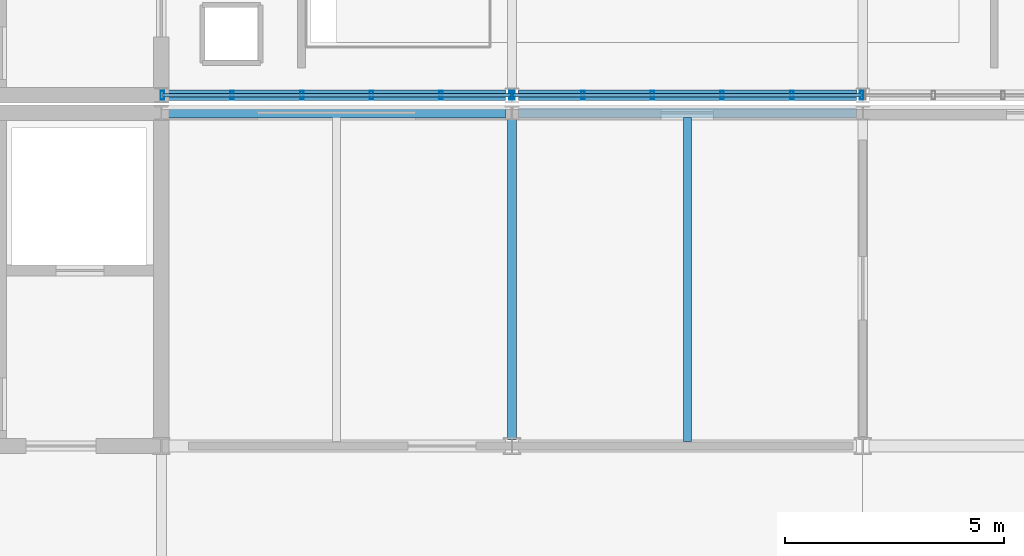
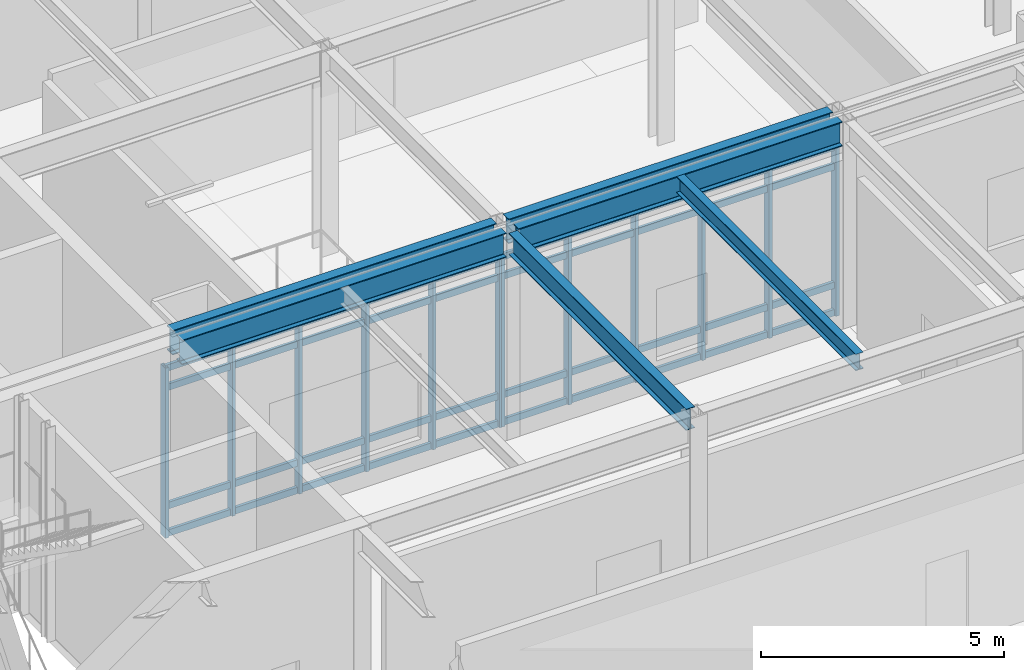
# One storey, part 55 of 94: 20 members, 6 beams, 2 elements without a shape of their own.
"""IFC4 building model written with IfcOpenShell, lengths in metres."""

from ifc_helpers import new_model, si_unit, direction, frame, origin, origin_2d, place, context, subcontext, project, spatial, hollow_rectangle, i_section, extrude, material, material_profile, profile_set, type_object, element, aggregate, save


model = new_model("IFC4")

# Units and contexts
model_context = context("Model", 3, precision=1e-05, world=origin(), true_north=direction((0.0, 1.0)))
body_context = subcontext(model_context, "Body", "Model", "MODEL_VIEW")
ifc_project = project(units=[si_unit("LENGTHUNIT", "METRE"), si_unit("AREAUNIT", "SQUARE_METRE"), si_unit("VOLUMEUNIT", "CUBIC_METRE"), si_unit("PLANEANGLEUNIT", "RADIAN"), si_unit("MASSUNIT", "GRAM", prefix="KILO")], contexts=[model_context])

# Site, building, storey
site_placement = place(None, origin())
site = spatial("IfcSite", under=ifc_project, at=site_placement, CompositionType="ELEMENT")
building_placement = place(site_placement, origin())
building = spatial("IfcBuilding", under=site, at=building_placement, Name="Zulena Civic Courthouse", CompositionType="ELEMENT")
storey_placement = place(building_placement, frame((0.0, 0.0, 5.39990234375)))
storey = spatial("IfcBuildingStorey", under=building, at=storey_placement, Name="L01", CompositionType="ELEMENT", Elevation=5.39990234375)

# Curtain wall, members
ifc_material_1 = material(Name="Double-silver low-E laminated solar-control glass", Category="glass")
curtain_wall_type = type_object("IfcCurtainWallType", Name="CW_7952x4280", PredefinedType="USERDEFINED", material=ifc_material_1)
curtain_wall_1_placement = place(storey_placement, origin())
curtain_wall_1 = element("IfcCurtainWall", 1, at=curtain_wall_1_placement, inside=storey, type_object=curtain_wall_type, Name="cw:V3:L01:3:3", ObjectType="UNITISED CURTAIN WALL", PredefinedType="USERDEFINED")
ifc_material_2 = material(Name="Bronze anodised thermally broken aluminium AA6063-T6", Category="aluminium")
ifc_material_profile_1 = material_profile(ifc_material_2, hollow_rectangle(XDim=0.080078125, YDim=0.199951171875, WallThickness=0.0048828125, at=origin_2d()), Name="CWM200X80X5")
ifc_profile_set_1 = profile_set([ifc_material_profile_1], Name="Bronze anodised thermally broken aluminium AA6063-T6")
member_type_1 = type_object("IfcMemberType", Name="CWMullion_200x80", PredefinedType="MULLION", material=ifc_profile_set_1)
member_1_placement = place(storey_placement, frame((147.97607421875, 30.800048828125, 0.0), z_axis=(0.0, 0.0, 1.0), x_axis=(1.0, 0.0, 0.0)))
member_1 = element("IfcMember", 2, at=member_1_placement, type_object=member_type_1, Name="cw:V3:L01:3:3:mull:0", PredefinedType="MULLION", context=body_context, shape_type="SweptSolid", body=[
    extrude(hollow_rectangle(XDim=0.080078125, YDim=0.199951171875, WallThickness=0.0048828125, at=origin_2d()), origin(), (0.0, 0.0, 1.0), 4.280029296875),
])
member_2_placement = place(storey_placement, frame((146.385498046875, 30.800048828125, 0.0), z_axis=(0.0, 0.0, 1.0), x_axis=(1.0, 0.0, 0.0)))
member_2 = element("IfcMember", 3, at=member_2_placement, type_object=member_type_1, Name="cw:V3:L01:3:3:mull:1", PredefinedType="MULLION", context=body_context, shape_type="SweptSolid", body=[
    extrude(hollow_rectangle(XDim=0.080078125, YDim=0.199951171875, WallThickness=0.0048828125, at=origin_2d()), origin(), (0.0, 0.0, 1.0), 4.280029296875),
])
member_3_placement = place(storey_placement, frame((144.795166015625, 30.800048828125, 0.0), z_axis=(0.0, 0.0, 1.0), x_axis=(1.0, 0.0, 0.0)))
member_3 = element("IfcMember", 4, at=member_3_placement, type_object=member_type_1, Name="cw:V3:L01:3:3:mull:2", PredefinedType="MULLION", context=body_context, shape_type="SweptSolid", body=[
    extrude(hollow_rectangle(XDim=0.080078125, YDim=0.199951171875, WallThickness=0.0048828125, at=origin_2d()), origin(), (0.0, 0.0, 1.0), 4.280029296875),
])
member_4_placement = place(storey_placement, frame((143.204833984375, 30.800048828125, 0.0), z_axis=(0.0, 0.0, 1.0), x_axis=(1.0, 0.0, 0.0)))
member_4 = element("IfcMember", 5, at=member_4_placement, type_object=member_type_1, Name="cw:V3:L01:3:3:mull:3", PredefinedType="MULLION", context=body_context, shape_type="SweptSolid", body=[
    extrude(hollow_rectangle(XDim=0.080078125, YDim=0.199951171875, WallThickness=0.0048828125, at=origin_2d()), origin(), (0.0, 0.0, 1.0), 4.280029296875),
])
member_5_placement = place(storey_placement, frame((141.614501953125, 30.800048828125, 0.0), z_axis=(0.0, 0.0, 1.0), x_axis=(1.0, 0.0, 0.0)))
member_5 = element("IfcMember", 6, at=member_5_placement, type_object=member_type_1, Name="cw:V3:L01:3:3:mull:4", PredefinedType="MULLION", context=body_context, shape_type="SweptSolid", body=[
    extrude(hollow_rectangle(XDim=0.080078125, YDim=0.199951171875, WallThickness=0.0048828125, at=origin_2d()), origin(), (0.0, 0.0, 1.0), 4.280029296875),
])
member_6_placement = place(storey_placement, frame((140.02392578125, 30.800048828125, 0.0), z_axis=(0.0, 0.0, 1.0), x_axis=(1.0, 0.0, 0.0)))
member_6 = element("IfcMember", 7, at=member_6_placement, type_object=member_type_1, Name="cw:V3:L01:3:3:mull:5", PredefinedType="MULLION", context=body_context, shape_type="SweptSolid", body=[
    extrude(hollow_rectangle(XDim=0.080078125, YDim=0.199951171875, WallThickness=0.0048828125, at=origin_2d()), origin(), (0.0, 0.0, 1.0), 4.280029296875),
])

curtain_wall_2_placement = place(storey_placement, origin())
curtain_wall_2 = element("IfcCurtainWall", 8, at=curtain_wall_2_placement, inside=storey, type_object=curtain_wall_type, Name="cw:V3:L01:3:4", ObjectType="UNITISED CURTAIN WALL", PredefinedType="USERDEFINED")
member_7_placement = place(storey_placement, frame((139.97607421875, 30.800048828125, 0.0), z_axis=(0.0, 0.0, 1.0), x_axis=(1.0, 0.0, 0.0)))
member_7 = element("IfcMember", 9, at=member_7_placement, type_object=member_type_1, Name="cw:V3:L01:3:4:mull:0", PredefinedType="MULLION", context=body_context, shape_type="SweptSolid", body=[
    extrude(hollow_rectangle(XDim=0.080078125, YDim=0.199951171875, WallThickness=0.0048828125, at=origin_2d()), origin(), (0.0, 0.0, 1.0), 4.280029296875),
])
member_8_placement = place(storey_placement, frame((138.385498046875, 30.800048828125, 0.0), z_axis=(0.0, 0.0, 1.0), x_axis=(1.0, 0.0, 0.0)))
member_8 = element("IfcMember", 10, at=member_8_placement, type_object=member_type_1, Name="cw:V3:L01:3:4:mull:1", PredefinedType="MULLION", context=body_context, shape_type="SweptSolid", body=[
    extrude(hollow_rectangle(XDim=0.080078125, YDim=0.199951171875, WallThickness=0.0048828125, at=origin_2d()), origin(), (0.0, 0.0, 1.0), 4.280029296875),
])
member_9_placement = place(storey_placement, frame((136.795166015625, 30.800048828125, 0.0), z_axis=(0.0, 0.0, 1.0), x_axis=(1.0, 0.0, 0.0)))
member_9 = element("IfcMember", 11, at=member_9_placement, type_object=member_type_1, Name="cw:V3:L01:3:4:mull:2", PredefinedType="MULLION", context=body_context, shape_type="SweptSolid", body=[
    extrude(hollow_rectangle(XDim=0.080078125, YDim=0.199951171875, WallThickness=0.0048828125, at=origin_2d()), origin(), (0.0, 0.0, 1.0), 4.280029296875),
])
member_10_placement = place(storey_placement, frame((135.204833984375, 30.800048828125, 0.0), z_axis=(0.0, 0.0, 1.0), x_axis=(1.0, 0.0, 0.0)))
member_10 = element("IfcMember", 12, at=member_10_placement, type_object=member_type_1, Name="cw:V3:L01:3:4:mull:3", PredefinedType="MULLION", context=body_context, shape_type="SweptSolid", body=[
    extrude(hollow_rectangle(XDim=0.080078125, YDim=0.199951171875, WallThickness=0.0048828125, at=origin_2d()), origin(), (0.0, 0.0, 1.0), 4.280029296875),
])
member_11_placement = place(storey_placement, frame((133.614501953125, 30.800048828125, 0.0), z_axis=(0.0, 0.0, 1.0), x_axis=(1.0, 0.0, 0.0)))
member_11 = element("IfcMember", 13, at=member_11_placement, type_object=member_type_1, Name="cw:V3:L01:3:4:mull:4", PredefinedType="MULLION", context=body_context, shape_type="SweptSolid", body=[
    extrude(hollow_rectangle(XDim=0.080078125, YDim=0.199951171875, WallThickness=0.0048828125, at=origin_2d()), origin(), (0.0, 0.0, 1.0), 4.280029296875),
])
member_12_placement = place(storey_placement, frame((132.02392578125, 30.800048828125, 0.0), z_axis=(0.0, 0.0, 1.0), x_axis=(1.0, 0.0, 0.0)))
member_12 = element("IfcMember", 14, at=member_12_placement, type_object=member_type_1, Name="cw:V3:L01:3:4:mull:5", PredefinedType="MULLION", context=body_context, shape_type="SweptSolid", body=[
    extrude(hollow_rectangle(XDim=0.080078125, YDim=0.199951171875, WallThickness=0.0048828125, at=origin_2d()), origin(), (0.0, 0.0, 1.0), 4.280029296875),
])

# Member
ifc_material_profile_2 = material_profile(ifc_material_2, hollow_rectangle(XDim=0.070068359375, YDim=0.1650390625, WallThickness=0.00390625, at=origin_2d()), Name="CWT165X70X4")
ifc_profile_set_2 = profile_set([ifc_material_profile_2], Name="Bronze anodised thermally broken aluminium AA6063-T6")
member_type_2 = type_object("IfcMemberType", Name="CWTransom_165x70", PredefinedType="USERDEFINED", material=ifc_profile_set_2)
member_13_placement = place(storey_placement, frame((147.97607421875, 30.800048828125, 0.06005859375), z_axis=(-1.0, 0.0, 0.0), x_axis=(0.0, -1.0, 0.0)))
member_13 = element("IfcMember", 15, at=member_13_placement, type_object=member_type_2, Name="cw:V3:L01:3:3:tran:0", ObjectType="TRANSOM", PredefinedType="USERDEFINED", context=body_context, shape_type="SweptSolid", body=[
    extrude(hollow_rectangle(XDim=0.070068359375, YDim=0.1650390625, WallThickness=0.00390625, at=origin_2d()), origin(), (0.0, 0.0, 1.0), 7.9521484375),
])

member_14_placement = place(storey_placement, frame((147.97607421875, 30.800048828125, 0.75), z_axis=(-1.0, 0.0, 0.0), x_axis=(0.0, -1.0, 0.0)))
member_14 = element("IfcMember", 16, at=member_14_placement, type_object=member_type_2, Name="cw:V3:L01:3:3:tran:1", ObjectType="TRANSOM", PredefinedType="USERDEFINED", context=body_context, shape_type="SweptSolid", body=[
    extrude(hollow_rectangle(XDim=0.070068359375, YDim=0.1650390625, WallThickness=0.00390625, at=origin_2d()), origin(), (0.0, 0.0, 1.0), 7.9521484375),
])

member_15_placement = place(storey_placement, frame((147.97607421875, 30.800048828125, 3.72998046875), z_axis=(-1.0, 0.0, 0.0), x_axis=(0.0, -1.0, 0.0)))
member_15 = element("IfcMember", 17, at=member_15_placement, type_object=member_type_2, Name="cw:V3:L01:3:3:tran:2", ObjectType="TRANSOM", PredefinedType="USERDEFINED", context=body_context, shape_type="SweptSolid", body=[
    extrude(hollow_rectangle(XDim=0.070068359375, YDim=0.1650390625, WallThickness=0.00390625, at=origin_2d()), origin(), (0.0, 0.0, 1.0), 7.9521484375),
])

member_16_placement = place(storey_placement, frame((147.97607421875, 30.800048828125, 4.22021484375), z_axis=(-1.0, 0.0, 0.0), x_axis=(0.0, -1.0, 0.0)))
member_16 = element("IfcMember", 18, at=member_16_placement, type_object=member_type_2, Name="cw:V3:L01:3:3:tran:3", ObjectType="TRANSOM", PredefinedType="USERDEFINED", context=body_context, shape_type="SweptSolid", body=[
    extrude(hollow_rectangle(XDim=0.070068359375, YDim=0.1650390625, WallThickness=0.00390625, at=origin_2d()), origin(), (0.0, 0.0, 1.0), 7.9521484375),
])

aggregate(curtain_wall_1, [member_1, member_2, member_3, member_4, member_5, member_6, member_13, member_14, member_15, member_16])

member_17_placement = place(storey_placement, frame((139.97607421875, 30.800048828125, 0.06005859375), z_axis=(-1.0, 0.0, 0.0), x_axis=(0.0, -1.0, 0.0)))
member_17 = element("IfcMember", 19, at=member_17_placement, type_object=member_type_2, Name="cw:V3:L01:3:4:tran:0", ObjectType="TRANSOM", PredefinedType="USERDEFINED", context=body_context, shape_type="SweptSolid", body=[
    extrude(hollow_rectangle(XDim=0.070068359375, YDim=0.1650390625, WallThickness=0.00390625, at=origin_2d()), origin(), (0.0, 0.0, 1.0), 7.9521484375),
])

member_18_placement = place(storey_placement, frame((139.97607421875, 30.800048828125, 0.75), z_axis=(-1.0, 0.0, 0.0), x_axis=(0.0, -1.0, 0.0)))
member_18 = element("IfcMember", 20, at=member_18_placement, type_object=member_type_2, Name="cw:V3:L01:3:4:tran:1", ObjectType="TRANSOM", PredefinedType="USERDEFINED", context=body_context, shape_type="SweptSolid", body=[
    extrude(hollow_rectangle(XDim=0.070068359375, YDim=0.1650390625, WallThickness=0.00390625, at=origin_2d()), origin(), (0.0, 0.0, 1.0), 7.9521484375),
])

member_19_placement = place(storey_placement, frame((139.97607421875, 30.800048828125, 3.72998046875), z_axis=(-1.0, 0.0, 0.0), x_axis=(0.0, -1.0, 0.0)))
member_19 = element("IfcMember", 21, at=member_19_placement, type_object=member_type_2, Name="cw:V3:L01:3:4:tran:2", ObjectType="TRANSOM", PredefinedType="USERDEFINED", context=body_context, shape_type="SweptSolid", body=[
    extrude(hollow_rectangle(XDim=0.070068359375, YDim=0.1650390625, WallThickness=0.00390625, at=origin_2d()), origin(), (0.0, 0.0, 1.0), 7.9521484375),
])

member_20_placement = place(storey_placement, frame((139.97607421875, 30.800048828125, 4.22021484375), z_axis=(-1.0, 0.0, 0.0), x_axis=(0.0, -1.0, 0.0)))
member_20 = element("IfcMember", 22, at=member_20_placement, type_object=member_type_2, Name="cw:V3:L01:3:4:tran:3", ObjectType="TRANSOM", PredefinedType="USERDEFINED", context=body_context, shape_type="SweptSolid", body=[
    extrude(hollow_rectangle(XDim=0.070068359375, YDim=0.1650390625, WallThickness=0.00390625, at=origin_2d()), origin(), (0.0, 0.0, 1.0), 7.9521484375),
])

aggregate(curtain_wall_2, [member_7, member_8, member_9, member_10, member_11, member_12, member_17, member_18, member_19, member_20])

# Beams
ifc_material_3 = material(Name="Steel ASTM A992 Grade 50", Category="steel")
ifc_material_profile_3 = material_profile(ifc_material_3, i_section(OverallWidth=0.180908203125, OverallDepth=0.4169921875, WebThickness=0.010986328125, FlangeThickness=0.018310546875, FilletRadius=0.01025390625, at=origin_2d()), Name="W16X57")
ifc_profile_set_3 = profile_set([ifc_material_profile_3], Name="Steel ASTM A992 Grade 50")
beam_type_1 = type_object("IfcBeamType", Name="Joist_W16X57", PredefinedType="JOIST", material=ifc_profile_set_3)
beam_1_placement = place(storey_placement, frame((144.0, 22.905029296875, 4.9765625), z_axis=(0.0, 1.0, 0.0), x_axis=(-1.0, 0.0, 0.0)))
element("IfcBeam", 23, at=beam_1_placement, inside=storey, type_object=beam_type_1, Name="joist:V1:L01:144.00:22.8_30.4", PredefinedType="JOIST", context=body_context, shape_type="SweptSolid", body=[
    extrude(i_section(OverallWidth=0.180908203125, OverallDepth=0.4169921875, WebThickness=0.010986328125, FlangeThickness=0.018310546875, FilletRadius=0.01025390625, at=origin_2d()), origin(), (0.0, 0.0, 1.0), 7.389892578125),
])
ifc_material_profile_4 = material_profile(ifc_material_3, i_section(OverallWidth=0.2099609375, OverallDepth=0.537109375, WebThickness=0.010986328125, FlangeThickness=0.017333984375, FilletRadius=0.0126953125, at=origin_2d()), Name="W21X68")
ifc_profile_set_4 = profile_set([ifc_material_profile_4], Name="Steel ASTM A992 Grade 50")
beam_type_2 = type_object("IfcBeamType", Name="Spandrel_W21X68", PredefinedType="SPANDREL", material=ifc_profile_set_4)
beam_2_placement = place(storey_placement, frame((140.0, 22.945068359375, 4.91650390625), z_axis=(0.0, 1.0, 0.0), x_axis=(-1.0, 0.0, 0.0)))
element("IfcBeam", 24, at=beam_2_placement, inside=storey, type_object=beam_type_2, Name="beam:Y:V1:L01:140.0:22.8_30.4", PredefinedType="SPANDREL", context=body_context, shape_type="SweptSolid", body=[
    extrude(i_section(OverallWidth=0.2099609375, OverallDepth=0.537109375, WebThickness=0.010986328125, FlangeThickness=0.017333984375, FilletRadius=0.0126953125, at=origin_2d()), origin(), (0.0, 0.0, 1.0), 7.309814453125),
])
ifc_material_profile_5 = material_profile(ifc_material_3, i_section(OverallWidth=0.22998046875, OverallDepth=0.616943359375, WebThickness=0.01318359375, FlangeThickness=0.022216796875, FilletRadius=0.0126953125, at=origin_2d()), Name="W24X94")
ifc_profile_set_5 = profile_set([ifc_material_profile_5], Name="Steel ASTM A992 Grade 50")
beam_type_3 = type_object("IfcBeamType", Name="Spandrel_W24X94", PredefinedType="SPANDREL", material=ifc_profile_set_5)
for number, where, z_axis, x_axis, name in (
    (25, (132.14501953125, 30.39990234375, 4.876708984375), (1.0, 0.0, 0.0), (0.0, 1.0, 0.0), "beam:X:V1:L01:30.4:132.0_140.0"),
    (26, (140.14501953125, 30.39990234375, 4.876708984375), (1.0, 0.0, 0.0), (0.0, 1.0, 0.0), "beam:X:V1:L01:30.4:140.0_148.0"),
    (27, (132.14501953125, 30.800048828125, 4.876708984375), (1.0, 0.0, 0.0), (0.0, 1.0, 0.0), "beam:X:V3:L01:30.8:132.0_140.0"),
    (28, (140.14501953125, 30.800048828125, 4.876708984375), (1.0, 0.0, 0.0), (0.0, 1.0, 0.0), "beam:X:V3:L01:30.8:140.0_148.0"),
):
    element("IfcBeam", number, at=place(storey_placement, frame(where, z_axis=z_axis, x_axis=x_axis)), inside=storey, type_object=beam_type_3, Name=name, PredefinedType="SPANDREL", context=body_context, shape_type="SweptSolid", body=[
        extrude(i_section(OverallWidth=0.22998046875, OverallDepth=0.616943359375, WebThickness=0.01318359375, FlangeThickness=0.022216796875, FilletRadius=0.0126953125, at=origin_2d()), origin(), (0.0, 0.0, 1.0), 7.7099609375),
    ])

save(model, "model.ifc")
